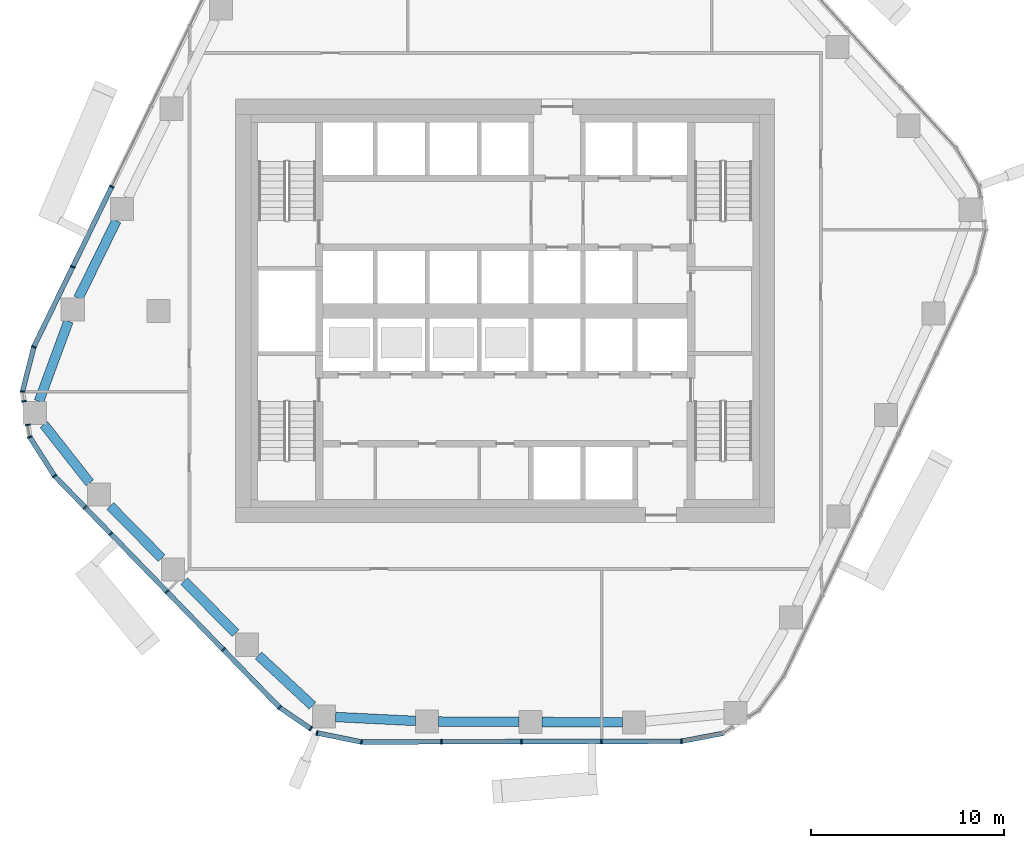
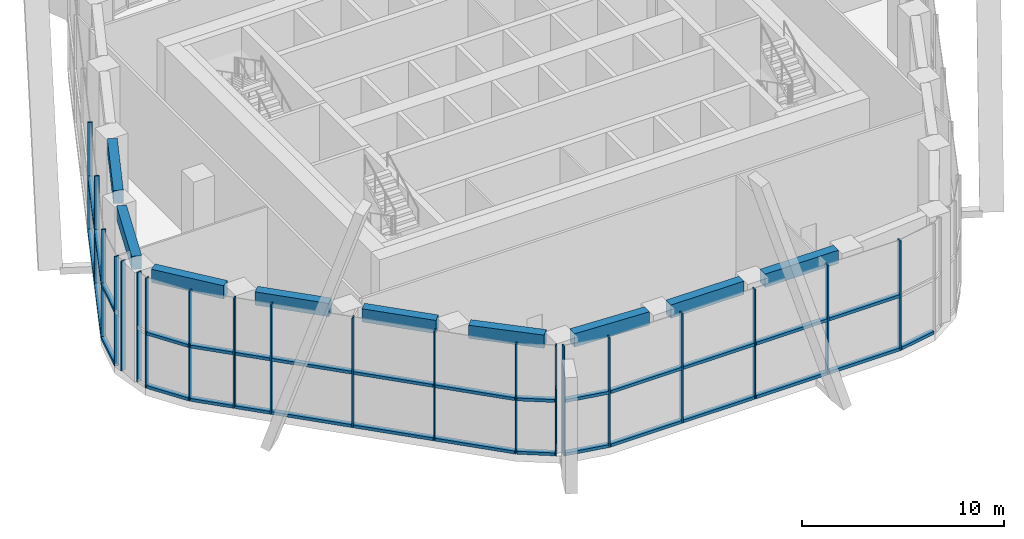
# One storey, part 2 of 20: 51 members, 9 beams, 9 elements without a shape of their own.
"""IFC4 building model written with IfcOpenShell, lengths in metres."""

from ifc_helpers import new_model, si_unit, direction, frame, origin, origin_2d, place, context, subcontext, project, spatial, rectangle, extrude, material, layer, layer_set, material_profile, profile_set, type_object, element, aggregate, save


model = new_model("IFC4")

# Units and contexts
model_context = context("Model", 3, precision=1e-05, world=origin(), true_north=direction((0.0, 1.0)))
body_context = subcontext(model_context, "Body", "Model", "MODEL_VIEW")
ifc_project = project(units=[si_unit("LENGTHUNIT", "METRE"), si_unit("AREAUNIT", "SQUARE_METRE"), si_unit("VOLUMEUNIT", "CUBIC_METRE"), si_unit("PLANEANGLEUNIT", "RADIAN"), si_unit("MASSUNIT", "GRAM", prefix="KILO")], contexts=[model_context])

# Site, building, storey
site_placement = place(None, origin())
site = spatial("IfcSite", under=ifc_project, at=site_placement, CompositionType="ELEMENT")
building_placement = place(site_placement, origin())
building = spatial("IfcBuilding", under=site, at=building_placement, Name="Dongbaek Canopy Tower", CompositionType="ELEMENT")
storey_placement = place(building_placement, frame((0.0, 0.0, 151.60009765625)))
storey = spatial("IfcBuildingStorey", under=building, at=storey_placement, Name="L33", CompositionType="ELEMENT", Elevation=151.60009765625)

# Curtain wall, members
ifc_material_1 = material(Name="Aluminium 6063-T6 pale anodised", Category="aluminium")
ifc_layer = layer(ifc_material_1, 0.25)
ifc_layer_set = layer_set([ifc_layer], Name="CW-4 sky-lobby curtain wall")
curtain_wall_type = type_object("IfcCurtainWallType", Name="CW-4 sky-lobby curtain wall", PredefinedType="NOTDEFINED", material=ifc_layer_set)
curtain_wall_1_placement = place(storey_placement, origin())
curtain_wall_1 = element("IfcCurtainWall", 1, at=curtain_wall_1_placement, inside=storey, type_object=curtain_wall_type, Name="CW-4 curtain wall F2.1", PredefinedType="NOTDEFINED")
ifc_material_2 = material(Name="Aluminium 6063-T6 pale anodised", Category="aluminium")
ifc_material_profile_1 = material_profile(ifc_material_2, rectangle(XDim=0.25, YDim=0.070068359375, at=origin_2d()), Name="CW-4 mullion 70 x 250")
ifc_profile_set_1 = profile_set([ifc_material_profile_1], Name="Aluminium 6063-T6 pale anodised")
member_type_1 = type_object("IfcMemberType", Name="CW-4 mullion 70 x 250", PredefinedType="MULLION", material=ifc_profile_set_1)
member_1_placement = place(storey_placement, frame((-20.433837890625, 6.46435546875, 0.0), z_axis=(0.0, 0.0, 1.0), x_axis=(-0.899298008809, 0.437336359513, 0.0)))
member_1 = element("IfcMember", 2, at=member_1_placement, type_object=member_type_1, Name="CW-4 mullion F2.1.4", PredefinedType="MULLION", context=body_context, shape_type="SweptSolid", body=[
    extrude(rectangle(XDim=0.25, YDim=0.070068359375, at=origin_2d()), origin(), (0.0, 0.0, 1.0), 6.619873046875),
])
member_2_placement = place(storey_placement, frame((-22.461181640625, 2.2958984375, 0.0), z_axis=(0.0, 0.0, 1.0), x_axis=(-0.899298008809, 0.437336359513, 0.0)))
member_2 = element("IfcMember", 3, at=member_2_placement, type_object=member_type_1, Name="CW-4 mullion F2.1.5", PredefinedType="MULLION", context=body_context, shape_type="SweptSolid", body=[
    extrude(rectangle(XDim=0.25, YDim=0.070068359375, at=origin_2d()), origin(), (0.0, 0.0, 1.0), 6.619873046875),
])
member_3_placement = place(storey_placement, frame((-24.48388671875, -1.863525390625, 0.0), z_axis=(0.0, 0.0, 1.0), x_axis=(-0.899298008809, 0.437336359513, 0.0)))
member_3 = element("IfcMember", 4, at=member_3_placement, type_object=member_type_1, Name="CW-4 mullion F2.1.6", PredefinedType="MULLION", context=body_context, shape_type="SweptSolid", body=[
    extrude(rectangle(XDim=0.25, YDim=0.070068359375, at=origin_2d()), origin(), (0.0, 0.0, 1.0), 6.619873046875),
])

curtain_wall_2_placement = place(storey_placement, origin())
curtain_wall_2 = element("IfcCurtainWall", 5, at=curtain_wall_2_placement, inside=storey, type_object=curtain_wall_type, Name="CW-4 curtain wall K3.1a", PredefinedType="NOTDEFINED")
member_4_placement = place(storey_placement, frame((-25.074462890625, -4.189453125, 0.0), z_axis=(0.0, 0.0, 1.0), x_axis=(-0.999001959005, 0.044666384501, 0.0)))
member_4 = element("IfcMember", 6, at=member_4_placement, type_object=member_type_1, Name="CW-4 mullion K3.1a.2", PredefinedType="MULLION", context=body_context, shape_type="SweptSolid", body=[
    extrude(rectangle(XDim=0.25, YDim=0.070068359375, at=origin_2d()), origin(), (0.0, 0.0, 1.0), 6.619873046875),
])
member_5_placement = place(storey_placement, frame((-24.994384765625, -4.6875, 0.0), z_axis=(0.0, 0.0, 1.0), x_axis=(-0.987339288222, -0.158622602213, 0.0)))
member_5 = element("IfcMember", 7, at=member_5_placement, type_object=member_type_1, Name="CW-4 mullion K3.1a.3", PredefinedType="MULLION", context=body_context, shape_type="SweptSolid", body=[
    extrude(rectangle(XDim=0.25, YDim=0.070068359375, at=origin_2d()), origin(), (0.0, 0.0, 1.0), 6.619873046875),
])

curtain_wall_3_placement = place(storey_placement, origin())
curtain_wall_3 = element("IfcCurtainWall", 8, at=curtain_wall_3_placement, inside=storey, type_object=curtain_wall_type, Name="CW-4 curtain wall K3.1b", PredefinedType="NOTDEFINED")
member_6_placement = place(storey_placement, frame((-24.796630859375, -5.918701171875, 0.0), z_axis=(0.0, 0.0, 1.0), x_axis=(-0.987339288222, -0.158622602213, 0.0)))
member_6 = element("IfcMember", 9, at=member_6_placement, type_object=member_type_1, Name="CW-4 mullion K3.1b.1", PredefinedType="MULLION", context=body_context, shape_type="SweptSolid", body=[
    extrude(rectangle(XDim=0.25, YDim=0.070068359375, at=origin_2d()), origin(), (0.0, 0.0, 1.0), 6.619873046875),
])
member_7_placement = place(storey_placement, frame((-24.695556640625, -6.548583984375, 0.0), z_axis=(0.0, 0.0, 1.0), x_axis=(-0.934739131301, -0.3553347104, 0.0)))
member_7 = element("IfcMember", 10, at=member_7_placement, type_object=member_type_1, Name="CW-4 mullion K3.1b.2", PredefinedType="MULLION", context=body_context, shape_type="SweptSolid", body=[
    extrude(rectangle(XDim=0.25, YDim=0.070068359375, at=origin_2d()), origin(), (0.0, 0.0, 1.0), 6.619873046875),
])
member_8_placement = place(storey_placement, frame((-23.406005859375, -8.57275390625, 0.0), z_axis=(0.0, 0.0, 1.0), x_axis=(-0.843382418574, -0.537313778011, 0.0)))
member_8 = element("IfcMember", 11, at=member_8_placement, type_object=member_type_1, Name="CW-4 mullion K3.1b.3", PredefinedType="MULLION", context=body_context, shape_type="SweptSolid", body=[
    extrude(rectangle(XDim=0.25, YDim=0.070068359375, at=origin_2d()), origin(), (0.0, 0.0, 1.0), 6.619873046875),
])

# Curtain wall, member
curtain_wall_4_placement = place(storey_placement, origin())
curtain_wall_4 = element("IfcCurtainWall", 12, at=curtain_wall_4_placement, inside=storey, type_object=curtain_wall_type, Name="CW-4 curtain wall F3.1a", PredefinedType="NOTDEFINED")
member_9_placement = place(storey_placement, frame((-21.817138671875, -10.207275390625, 0.0), z_axis=(0.0, 0.0, 1.0), x_axis=(-0.717057021334, -0.697014510721, 0.0)))
member_9 = element("IfcMember", 13, at=member_9_placement, type_object=member_type_1, Name="CW-4 mullion F3.1a.2", PredefinedType="MULLION", context=body_context, shape_type="SweptSolid", body=[
    extrude(rectangle(XDim=0.25, YDim=0.070068359375, at=origin_2d()), origin(), (0.0, 0.0, 1.0), 6.619873046875),
])

# Curtain wall, members
curtain_wall_5_placement = place(storey_placement, origin())
curtain_wall_5 = element("IfcCurtainWall", 14, at=curtain_wall_5_placement, inside=storey, type_object=curtain_wall_type, Name="CW-4 curtain wall F3.1b", PredefinedType="NOTDEFINED")
member_10_placement = place(storey_placement, frame((-20.488525390625, -11.573974609375, 0.0), z_axis=(0.0, 0.0, 1.0), x_axis=(-0.717057021334, -0.697014510721, 0.0)))
member_10 = element("IfcMember", 15, at=member_10_placement, type_object=member_type_1, Name="CW-4 mullion F3.1b.2", PredefinedType="MULLION", context=body_context, shape_type="SweptSolid", body=[
    extrude(rectangle(XDim=0.25, YDim=0.070068359375, at=origin_2d()), origin(), (0.0, 0.0, 1.0), 6.619873046875),
])
member_11_placement = place(storey_placement, frame((-17.564208984375, -14.58251953125, 0.0), z_axis=(0.0, 0.0, 1.0), x_axis=(-0.717057021334, -0.697014510721, 0.0)))
member_11 = element("IfcMember", 16, at=member_11_placement, type_object=member_type_1, Name="CW-4 mullion F3.1b.3", PredefinedType="MULLION", context=body_context, shape_type="SweptSolid", body=[
    extrude(rectangle(XDim=0.25, YDim=0.070068359375, at=origin_2d()), origin(), (0.0, 0.0, 1.0), 6.619873046875),
])
member_12_placement = place(storey_placement, frame((-14.6396484375, -17.591064453125, 0.0), z_axis=(0.0, 0.0, 1.0), x_axis=(-0.717057021334, -0.697014510721, 0.0)))
member_12 = element("IfcMember", 17, at=member_12_placement, type_object=member_type_1, Name="CW-4 mullion F3.1b.4", PredefinedType="MULLION", context=body_context, shape_type="SweptSolid", body=[
    extrude(rectangle(XDim=0.25, YDim=0.070068359375, at=origin_2d()), origin(), (0.0, 0.0, 1.0), 6.619873046875),
])
member_13_placement = place(storey_placement, frame((-11.72216796875, -20.592529296875, 0.0), z_axis=(0.0, 0.0, 1.0), x_axis=(-0.717057021334, -0.697014510721, 0.0)))
member_13 = element("IfcMember", 18, at=member_13_placement, type_object=member_type_1, Name="CW-4 mullion F3.1b.5", PredefinedType="MULLION", context=body_context, shape_type="SweptSolid", body=[
    extrude(rectangle(XDim=0.25, YDim=0.070068359375, at=origin_2d()), origin(), (0.0, 0.0, 1.0), 6.619873046875),
])

# Curtain wall, member
curtain_wall_6_placement = place(storey_placement, origin())
curtain_wall_6 = element("IfcCurtainWall", 19, at=curtain_wall_6_placement, inside=storey, type_object=curtain_wall_type, Name="CW-4 curtain wall K4.1a", PredefinedType="NOTDEFINED")
member_14_placement = place(storey_placement, frame((-10.095458984375, -21.703369140625, 0.0), z_axis=(0.0, 0.0, 1.0), x_axis=(-0.56393002552, -0.825822575567, 0.0)))
member_14 = element("IfcMember", 20, at=member_14_placement, type_object=member_type_1, Name="CW-4 mullion K4.1a.2", PredefinedType="MULLION", context=body_context, shape_type="SweptSolid", body=[
    extrude(rectangle(XDim=0.25, YDim=0.070068359375, at=origin_2d()), origin(), (0.0, 0.0, 1.0), 6.619873046875),
])

# Curtain wall, members
curtain_wall_7_placement = place(storey_placement, origin())
curtain_wall_7 = element("IfcCurtainWall", 21, at=curtain_wall_7_placement, inside=storey, type_object=curtain_wall_type, Name="CW-4 curtain wall K4.1b", PredefinedType="NOTDEFINED")
member_15_placement = place(storey_placement, frame((-9.774169921875, -21.922607421875, 0.0), z_axis=(0.0, 0.0, 1.0), x_axis=(-0.196972962118, -0.980408920907, 0.0)))
member_15 = element("IfcMember", 22, at=member_15_placement, type_object=member_type_1, Name="CW-4 mullion K4.1b.1", PredefinedType="MULLION", context=body_context, shape_type="SweptSolid", body=[
    extrude(rectangle(XDim=0.25, YDim=0.070068359375, at=origin_2d()), origin(), (0.0, 0.0, 1.0), 6.619873046875),
])
member_16_placement = place(storey_placement, frame((-7.461669921875, -22.38720703125, 0.0), z_axis=(0.0, 0.0, 1.0), x_axis=(-0.196972962118, -0.980408920907, 0.0)))
member_16 = element("IfcMember", 23, at=member_16_placement, type_object=member_type_1, Name="CW-4 mullion K4.1b.2", PredefinedType="MULLION", context=body_context, shape_type="SweptSolid", body=[
    extrude(rectangle(XDim=0.25, YDim=0.070068359375, at=origin_2d()), origin(), (0.0, 0.0, 1.0), 6.619873046875),
])

curtain_wall_8_placement = place(storey_placement, origin())
curtain_wall_8 = element("IfcCurtainWall", 24, at=curtain_wall_8_placement, inside=storey, type_object=curtain_wall_type, Name="CW-4 curtain wall F4.1", PredefinedType="NOTDEFINED")
member_17_placement = place(storey_placement, frame((-3.3115234375, -22.378173828125, 0.0), z_axis=(0.0, 0.0, 1.0), x_axis=(0.002164366891, -0.999997657755, 0.0)))
member_17 = element("IfcMember", 25, at=member_17_placement, type_object=member_type_1, Name="CW-4 mullion F4.1.2", PredefinedType="MULLION", context=body_context, shape_type="SweptSolid", body=[
    extrude(rectangle(XDim=0.25, YDim=0.070068359375, at=origin_2d()), origin(), (0.0, 0.0, 1.0), 6.619873046875),
])
member_18_placement = place(storey_placement, frame((0.8486328125, -22.369140625, 0.0), z_axis=(0.0, 0.0, 1.0), x_axis=(0.002164366891, -0.999997657755, 0.0)))
member_18 = element("IfcMember", 26, at=member_18_placement, type_object=member_type_1, Name="CW-4 mullion F4.1.3", PredefinedType="MULLION", context=body_context, shape_type="SweptSolid", body=[
    extrude(rectangle(XDim=0.25, YDim=0.070068359375, at=origin_2d()), origin(), (0.0, 0.0, 1.0), 6.619873046875),
])
member_19_placement = place(storey_placement, frame((5.0087890625, -22.3603515625, 0.0), z_axis=(0.0, 0.0, 1.0), x_axis=(0.002164366891, -0.999997657755, 0.0)))
member_19 = element("IfcMember", 27, at=member_19_placement, type_object=member_type_1, Name="CW-4 mullion F4.1.4", PredefinedType="MULLION", context=body_context, shape_type="SweptSolid", body=[
    extrude(rectangle(XDim=0.25, YDim=0.070068359375, at=origin_2d()), origin(), (0.0, 0.0, 1.0), 6.619873046875),
])
member_20_placement = place(storey_placement, frame((9.15966796875, -22.351318359375, 0.0), z_axis=(0.0, 0.0, 1.0), x_axis=(0.002164366891, -0.999997657755, 0.0)))
member_20 = element("IfcMember", 28, at=member_20_placement, type_object=member_type_1, Name="CW-4 mullion F4.1.5", PredefinedType="MULLION", context=body_context, shape_type="SweptSolid", body=[
    extrude(rectangle(XDim=0.25, YDim=0.070068359375, at=origin_2d()), origin(), (0.0, 0.0, 1.0), 6.619873046875),
])

# Member
ifc_material_3 = material(Name="Aluminium 6063-T6 pale anodised", Category="aluminium")
ifc_material_profile_2 = material_profile(ifc_material_3, rectangle(XDim=0.25, YDim=0.179931640625, at=origin_2d()), Name="CW-4 transom 180 x 250")
ifc_profile_set_2 = profile_set([ifc_material_profile_2], Name="Aluminium 6063-T6 pale anodised")
member_type_2 = type_object("IfcMemberType", Name="CW-4 transom 180 x 250", PredefinedType="USERDEFINED", material=ifc_profile_set_2)
member_21_placement = place(storey_placement, frame((-20.45458984375, 6.422119140625, 0.08984375), z_axis=(-0.437337649378, -0.899297381536, 0.0), x_axis=(0.899297381536, -0.437337649378, 0.0)))
member_21 = element("IfcMember", 29, at=member_21_placement, type_object=member_type_2, Name="CW-4 transom F2.1.4.1", ObjectType="TRANSOM", PredefinedType="USERDEFINED", context=body_context, shape_type="SweptSolid", body=[
    extrude(rectangle(XDim=0.25, YDim=0.179931640625, at=origin_2d()), origin(), (0.0, 0.0, 1.0), 4.541259765625),
])

member_22_placement = place(storey_placement, frame((-20.45458984375, 6.422119140625, 3.309814453125), z_axis=(-0.437337649378, -0.899297381536, 0.0), x_axis=(0.899297381536, -0.437337649378, 0.0)))
member_22 = element("IfcMember", 30, at=member_22_placement, type_object=member_type_2, Name="CW-4 transom F2.1.4.2", ObjectType="TRANSOM", PredefinedType="USERDEFINED", context=body_context, shape_type="SweptSolid", body=[
    extrude(rectangle(XDim=0.25, YDim=0.179931640625, at=origin_2d()), origin(), (0.0, 0.0, 1.0), 4.541259765625),
])

member_23_placement = place(storey_placement, frame((-22.481689453125, 2.253662109375, 0.08984375), z_axis=(-0.437337365448, -0.899297519613, 0.0), x_axis=(0.899297519613, -0.437337365448, 0.0)))
member_23 = element("IfcMember", 31, at=member_23_placement, type_object=member_type_2, Name="CW-4 transom F2.1.5.1", ObjectType="TRANSOM", PredefinedType="USERDEFINED", context=body_context, shape_type="SweptSolid", body=[
    extrude(rectangle(XDim=0.25, YDim=0.179931640625, at=origin_2d()), origin(), (0.0, 0.0, 1.0), 4.53125),
])

member_24_placement = place(storey_placement, frame((-22.481689453125, 2.253662109375, 3.309814453125), z_axis=(-0.437337365448, -0.899297519613, 0.0), x_axis=(0.899297519613, -0.437337365448, 0.0)))
member_24 = element("IfcMember", 32, at=member_24_placement, type_object=member_type_2, Name="CW-4 transom F2.1.5.2", ObjectType="TRANSOM", PredefinedType="USERDEFINED", context=body_context, shape_type="SweptSolid", body=[
    extrude(rectangle(XDim=0.25, YDim=0.179931640625, at=origin_2d()), origin(), (0.0, 0.0, 1.0), 4.53125),
])

aggregate(curtain_wall_1, [member_1, member_2, member_3, member_21, member_22, member_23, member_24])

member_25_placement = place(storey_placement, frame((-24.495361328125, -1.908935546875, 0.08984375), z_axis=(-0.246145952937, -0.969232773823, 0.0), x_axis=(0.969232773823, -0.246145952937, 0.0)))
member_25 = element("IfcMember", 33, at=member_25_placement, type_object=member_type_2, Name="CW-4 transom K3.1a.1.1", ObjectType="TRANSOM", PredefinedType="USERDEFINED", context=body_context, shape_type="SweptSolid", body=[
    extrude(rectangle(XDim=0.25, YDim=0.179931640625, at=origin_2d()), origin(), (0.0, 0.0, 1.0), 2.30615234375),
])

member_26_placement = place(storey_placement, frame((-24.495361328125, -1.908935546875, 3.309814453125), z_axis=(-0.246145952937, -0.969232773823, 0.0), x_axis=(0.969232773823, -0.246145952937, 0.0)))
member_26 = element("IfcMember", 34, at=member_26_placement, type_object=member_type_2, Name="CW-4 transom K3.1a.1.2", ObjectType="TRANSOM", PredefinedType="USERDEFINED", context=body_context, shape_type="SweptSolid", body=[
    extrude(rectangle(XDim=0.25, YDim=0.179931640625, at=origin_2d()), origin(), (0.0, 0.0, 1.0), 2.30615234375),
])

aggregate(curtain_wall_2, [member_4, member_5, member_25, member_26])

member_27_placement = place(storey_placement, frame((-24.670166015625, -6.58837890625, 0.08984375), z_axis=(0.537354992054, -0.843356159943, 0.0), x_axis=(0.843356159943, 0.537354992054, 0.0)))
member_27 = element("IfcMember", 35, at=member_27_placement, type_object=member_type_2, Name="CW-4 transom K3.1b.2.1", ObjectType="TRANSOM", PredefinedType="USERDEFINED", context=body_context, shape_type="SweptSolid", body=[
    extrude(rectangle(XDim=0.25, YDim=0.179931640625, at=origin_2d()), origin(), (0.0, 0.0, 1.0), 2.3056640625),
])

member_28_placement = place(storey_placement, frame((-24.670166015625, -6.58837890625, 3.309814453125), z_axis=(0.537354992054, -0.843356159943, 0.0), x_axis=(0.843356159943, 0.537354992054, 0.0)))
member_28 = element("IfcMember", 36, at=member_28_placement, type_object=member_type_2, Name="CW-4 transom K3.1b.2.2", ObjectType="TRANSOM", PredefinedType="USERDEFINED", context=body_context, shape_type="SweptSolid", body=[
    extrude(rectangle(XDim=0.25, YDim=0.179931640625, at=origin_2d()), origin(), (0.0, 0.0, 1.0), 2.3056640625),
])

aggregate(curtain_wall_3, [member_6, member_7, member_8, member_27, member_28])

member_29_placement = place(storey_placement, frame((-23.373291015625, -8.6064453125, 0.08984375), z_axis=(0.697038513435, -0.71703368874, 0.0), x_axis=(0.71703368874, 0.697038513435, 0.0)))
member_29 = element("IfcMember", 37, at=member_29_placement, type_object=member_type_2, Name="CW-4 transom F3.1a.1.1", ObjectType="TRANSOM", PredefinedType="USERDEFINED", context=body_context, shape_type="SweptSolid", body=[
    extrude(rectangle(XDim=0.25, YDim=0.179931640625, at=origin_2d()), origin(), (0.0, 0.0, 1.0), 2.185546875),
])

member_30_placement = place(storey_placement, frame((-23.373291015625, -8.6064453125, 3.309814453125), z_axis=(0.697038513435, -0.71703368874, 0.0), x_axis=(0.71703368874, 0.697038513435, 0.0)))
member_30 = element("IfcMember", 38, at=member_30_placement, type_object=member_type_2, Name="CW-4 transom F3.1a.1.2", ObjectType="TRANSOM", PredefinedType="USERDEFINED", context=body_context, shape_type="SweptSolid", body=[
    extrude(rectangle(XDim=0.25, YDim=0.179931640625, at=origin_2d()), origin(), (0.0, 0.0, 1.0), 2.185546875),
])

aggregate(curtain_wall_4, [member_9, member_29, member_30])

member_31_placement = place(storey_placement, frame((-21.75927734375, -10.266845703125, 0.08984375), z_axis=(0.696999862948, -0.717071259395, 0.0), x_axis=(0.717071259395, 0.696999862948, 0.0)))
member_31 = element("IfcMember", 39, at=member_31_placement, type_object=member_type_2, Name="CW-4 transom F3.1b.1.1", ObjectType="TRANSOM", PredefinedType="USERDEFINED", context=body_context, shape_type="SweptSolid", body=[
    extrude(rectangle(XDim=0.25, YDim=0.179931640625, at=origin_2d()), origin(), (0.0, 0.0, 1.0), 1.77587890625),
])

member_32_placement = place(storey_placement, frame((-21.75927734375, -10.266845703125, 3.309814453125), z_axis=(0.696999862948, -0.717071259395, 0.0), x_axis=(0.717071259395, 0.696999862948, 0.0)))
member_32 = element("IfcMember", 40, at=member_32_placement, type_object=member_type_2, Name="CW-4 transom F3.1b.1.2", ObjectType="TRANSOM", PredefinedType="USERDEFINED", context=body_context, shape_type="SweptSolid", body=[
    extrude(rectangle(XDim=0.25, YDim=0.179931640625, at=origin_2d()), origin(), (0.0, 0.0, 1.0), 1.77587890625),
])

member_33_placement = place(storey_placement, frame((-20.455810546875, -11.607666015625, 0.08984375), z_axis=(0.697006141343, -0.717065156684, 0.0), x_axis=(0.717065156684, 0.697006141343, 0.0)))
member_33 = element("IfcMember", 41, at=member_33_placement, type_object=member_type_2, Name="CW-4 transom F3.1b.2.1", ObjectType="TRANSOM", PredefinedType="USERDEFINED", context=body_context, shape_type="SweptSolid", body=[
    extrude(rectangle(XDim=0.25, YDim=0.179931640625, at=origin_2d()), origin(), (0.0, 0.0, 1.0), 4.1015625),
])

member_34_placement = place(storey_placement, frame((-20.455810546875, -11.607666015625, 3.309814453125), z_axis=(0.697006141343, -0.717065156684, 0.0), x_axis=(0.717065156684, 0.697006141343, 0.0)))
member_34 = element("IfcMember", 42, at=member_34_placement, type_object=member_type_2, Name="CW-4 transom F3.1b.2.2", ObjectType="TRANSOM", PredefinedType="USERDEFINED", context=body_context, shape_type="SweptSolid", body=[
    extrude(rectangle(XDim=0.25, YDim=0.179931640625, at=origin_2d()), origin(), (0.0, 0.0, 1.0), 4.1015625),
])

member_35_placement = place(storey_placement, frame((-17.53125, -14.6162109375, 0.08984375), z_axis=(0.697006141343, -0.717065156684, 0.0), x_axis=(0.717065156684, 0.697006141343, 0.0)))
member_35 = element("IfcMember", 43, at=member_35_placement, type_object=member_type_2, Name="CW-4 transom F3.1b.3.1", ObjectType="TRANSOM", PredefinedType="USERDEFINED", context=body_context, shape_type="SweptSolid", body=[
    extrude(rectangle(XDim=0.25, YDim=0.179931640625, at=origin_2d()), origin(), (0.0, 0.0, 1.0), 4.1015625),
])

member_36_placement = place(storey_placement, frame((-17.53125, -14.6162109375, 3.309814453125), z_axis=(0.697006141343, -0.717065156684, 0.0), x_axis=(0.717065156684, 0.697006141343, 0.0)))
member_36 = element("IfcMember", 44, at=member_36_placement, type_object=member_type_2, Name="CW-4 transom F3.1b.3.2", ObjectType="TRANSOM", PredefinedType="USERDEFINED", context=body_context, shape_type="SweptSolid", body=[
    extrude(rectangle(XDim=0.25, YDim=0.179931640625, at=origin_2d()), origin(), (0.0, 0.0, 1.0), 4.1015625),
])

member_37_placement = place(storey_placement, frame((-14.60693359375, -17.624755859375, 0.08984375), z_axis=(0.697011932297, -0.717059527679, 0.0), x_axis=(0.717059527679, 0.697011932297, 0.0)))
member_37 = element("IfcMember", 45, at=member_37_placement, type_object=member_type_2, Name="CW-4 transom F3.1b.4.1", ObjectType="TRANSOM", PredefinedType="USERDEFINED", context=body_context, shape_type="SweptSolid", body=[
    extrude(rectangle(XDim=0.25, YDim=0.179931640625, at=origin_2d()), origin(), (0.0, 0.0, 1.0), 4.091796875),
])

member_38_placement = place(storey_placement, frame((-14.60693359375, -17.624755859375, 3.309814453125), z_axis=(0.697011932297, -0.717059527679, 0.0), x_axis=(0.717059527679, 0.697011932297, 0.0)))
member_38 = element("IfcMember", 46, at=member_38_placement, type_object=member_type_2, Name="CW-4 transom F3.1b.4.2", ObjectType="TRANSOM", PredefinedType="USERDEFINED", context=body_context, shape_type="SweptSolid", body=[
    extrude(rectangle(XDim=0.25, YDim=0.179931640625, at=origin_2d()), origin(), (0.0, 0.0, 1.0), 4.091796875),
])

aggregate(curtain_wall_5, [member_10, member_11, member_12, member_13, member_31, member_32, member_33, member_34, member_35, member_36, member_37, member_38])

member_39_placement = place(storey_placement, frame((-11.683349609375, -20.618896484375, 0.08984375), z_axis=(0.825811330496, -0.56394649252, 0.0), x_axis=(0.56394649252, 0.825811330496, 0.0)))
member_39 = element("IfcMember", 47, at=member_39_placement, type_object=member_type_2, Name="CW-4 transom K4.1a.1.1", ObjectType="TRANSOM", PredefinedType="USERDEFINED", context=body_context, shape_type="SweptSolid", body=[
    extrude(rectangle(XDim=0.25, YDim=0.179931640625, at=origin_2d()), origin(), (0.0, 0.0, 1.0), 1.875732421875),
])

member_40_placement = place(storey_placement, frame((-11.683349609375, -20.618896484375, 3.309814453125), z_axis=(0.825811330496, -0.56394649252, 0.0), x_axis=(0.56394649252, 0.825811330496, 0.0)))
member_40 = element("IfcMember", 48, at=member_40_placement, type_object=member_type_2, Name="CW-4 transom K4.1a.1.2", ObjectType="TRANSOM", PredefinedType="USERDEFINED", context=body_context, shape_type="SweptSolid", body=[
    extrude(rectangle(XDim=0.25, YDim=0.179931640625, at=origin_2d()), origin(), (0.0, 0.0, 1.0), 1.875732421875),
])

aggregate(curtain_wall_6, [member_14, member_39, member_40])

member_41_placement = place(storey_placement, frame((-9.728271484375, -21.931884765625, 0.08984375), z_axis=(0.980414483421, -0.19694527336, 0.0), x_axis=(0.19694527336, 0.980414483421, 0.0)))
member_41 = element("IfcMember", 49, at=member_41_placement, type_object=member_type_2, Name="CW-4 transom K4.1b.1.1", ObjectType="TRANSOM", PredefinedType="USERDEFINED", context=body_context, shape_type="SweptSolid", body=[
    extrude(rectangle(XDim=0.25, YDim=0.179931640625, at=origin_2d()), origin(), (0.0, 0.0, 1.0), 2.264892578125),
])

member_42_placement = place(storey_placement, frame((-9.728271484375, -21.931884765625, 3.309814453125), z_axis=(0.980414483421, -0.19694527336, 0.0), x_axis=(0.19694527336, 0.980414483421, 0.0)))
member_42 = element("IfcMember", 50, at=member_42_placement, type_object=member_type_2, Name="CW-4 transom K4.1b.1.2", ObjectType="TRANSOM", PredefinedType="USERDEFINED", context=body_context, shape_type="SweptSolid", body=[
    extrude(rectangle(XDim=0.25, YDim=0.179931640625, at=origin_2d()), origin(), (0.0, 0.0, 1.0), 2.264892578125),
])

aggregate(curtain_wall_7, [member_15, member_16, member_41, member_42])

member_43_placement = place(storey_placement, frame((-7.414794921875, -22.38720703125, 0.08984375), z_axis=(0.999997652395, 0.00216684215, 0.0), x_axis=(-0.00216684215, 0.999997652395, 0.0)))
member_43 = element("IfcMember", 51, at=member_43_placement, type_object=member_type_2, Name="CW-4 transom F4.1.1.1", ObjectType="TRANSOM", PredefinedType="USERDEFINED", context=body_context, shape_type="SweptSolid", body=[
    extrude(rectangle(XDim=0.25, YDim=0.179931640625, at=origin_2d()), origin(), (0.0, 0.0, 1.0), 4.05615234375),
])

member_44_placement = place(storey_placement, frame((-7.414794921875, -22.38720703125, 3.309814453125), z_axis=(0.999997652395, 0.00216684215, 0.0), x_axis=(-0.00216684215, 0.999997652395, 0.0)))
member_44 = element("IfcMember", 52, at=member_44_placement, type_object=member_type_2, Name="CW-4 transom F4.1.1.2", ObjectType="TRANSOM", PredefinedType="USERDEFINED", context=body_context, shape_type="SweptSolid", body=[
    extrude(rectangle(XDim=0.25, YDim=0.179931640625, at=origin_2d()), origin(), (0.0, 0.0, 1.0), 4.05615234375),
])

member_45_placement = place(storey_placement, frame((-3.2646484375, -22.378173828125, 0.08984375), z_axis=(0.999997663939, 0.00216150801, 0.0), x_axis=(-0.00216150801, 0.999997663939, 0.0)))
member_45 = element("IfcMember", 53, at=member_45_placement, type_object=member_type_2, Name="CW-4 transom F4.1.2.1", ObjectType="TRANSOM", PredefinedType="USERDEFINED", context=body_context, shape_type="SweptSolid", body=[
    extrude(rectangle(XDim=0.25, YDim=0.179931640625, at=origin_2d()), origin(), (0.0, 0.0, 1.0), 4.066162109375),
])

member_46_placement = place(storey_placement, frame((-3.2646484375, -22.378173828125, 3.309814453125), z_axis=(0.999997663939, 0.00216150801, 0.0), x_axis=(-0.00216150801, 0.999997663939, 0.0)))
member_46 = element("IfcMember", 54, at=member_46_placement, type_object=member_type_2, Name="CW-4 transom F4.1.2.2", ObjectType="TRANSOM", PredefinedType="USERDEFINED", context=body_context, shape_type="SweptSolid", body=[
    extrude(rectangle(XDim=0.25, YDim=0.179931640625, at=origin_2d()), origin(), (0.0, 0.0, 1.0), 4.066162109375),
])

member_47_placement = place(storey_placement, frame((0.8955078125, -22.369140625, 0.08984375), z_axis=(0.999997664219, 0.002161378237, 0.0), x_axis=(-0.002161378237, 0.999997664219, 0.0)))
member_47 = element("IfcMember", 55, at=member_47_placement, type_object=member_type_2, Name="CW-4 transom F4.1.3.1", ObjectType="TRANSOM", PredefinedType="USERDEFINED", context=body_context, shape_type="SweptSolid", body=[
    extrude(rectangle(XDim=0.25, YDim=0.179931640625, at=origin_2d()), origin(), (0.0, 0.0, 1.0), 4.06640625),
])

member_48_placement = place(storey_placement, frame((0.8955078125, -22.369140625, 3.309814453125), z_axis=(0.999997664219, 0.002161378237, 0.0), x_axis=(-0.002161378237, 0.999997664219, 0.0)))
member_48 = element("IfcMember", 56, at=member_48_placement, type_object=member_type_2, Name="CW-4 transom F4.1.3.2", ObjectType="TRANSOM", PredefinedType="USERDEFINED", context=body_context, shape_type="SweptSolid", body=[
    extrude(rectangle(XDim=0.25, YDim=0.179931640625, at=origin_2d()), origin(), (0.0, 0.0, 1.0), 4.06640625),
])

member_49_placement = place(storey_placement, frame((5.055908203125, -22.360107421875, 0.08984375), z_axis=(0.99999765296, 0.002166581338, 0.0), x_axis=(-0.002166581338, 0.99999765296, 0.0)))
member_49 = element("IfcMember", 57, at=member_49_placement, type_object=member_type_2, Name="CW-4 transom F4.1.4.1", ObjectType="TRANSOM", PredefinedType="USERDEFINED", context=body_context, shape_type="SweptSolid", body=[
    extrude(rectangle(XDim=0.25, YDim=0.179931640625, at=origin_2d()), origin(), (0.0, 0.0, 1.0), 4.056640625),
])

member_50_placement = place(storey_placement, frame((5.055908203125, -22.360107421875, 3.309814453125), z_axis=(0.99999765296, 0.002166581338, 0.0), x_axis=(-0.002166581338, 0.99999765296, 0.0)))
member_50 = element("IfcMember", 58, at=member_50_placement, type_object=member_type_2, Name="CW-4 transom F4.1.4.2", ObjectType="TRANSOM", PredefinedType="USERDEFINED", context=body_context, shape_type="SweptSolid", body=[
    extrude(rectangle(XDim=0.25, YDim=0.179931640625, at=origin_2d()), origin(), (0.0, 0.0, 1.0), 4.056640625),
])

aggregate(curtain_wall_8, [member_17, member_18, member_19, member_20, member_43, member_44, member_45, member_46, member_47, member_48, member_49, member_50])

# Curtain wall, member
curtain_wall_9_placement = place(storey_placement, origin())
curtain_wall_9 = element("IfcCurtainWall", 59, at=curtain_wall_9_placement, inside=storey, type_object=curtain_wall_type, Name="CW-4 curtain wall K5.1a", PredefinedType="NOTDEFINED")
member_51_placement = place(storey_placement, frame((9.205810546875, -22.34228515625, 0.08984375), z_axis=(0.982038514738, 0.188680564899, 0.0), x_axis=(-0.188680564899, 0.982038514738, 0.0)))
member_51 = element("IfcMember", 60, at=member_51_placement, type_object=member_type_2, Name="CW-4 transom K5.1a.1.1", ObjectType="TRANSOM", PredefinedType="USERDEFINED", context=body_context, shape_type="SweptSolid", body=[
    extrude(rectangle(XDim=0.25, YDim=0.179931640625, at=origin_2d()), origin(), (0.0, 0.0, 1.0), 2.116943359375),
])
aggregate(curtain_wall_9, [member_51])

# Beams
ifc_material_4 = material(Name="Concrete C70", Category="concrete")
ifc_material_profile_3 = material_profile(ifc_material_4, rectangle(XDim=0.5, YDim=0.800048828125, at=origin_2d()), Name="RC EDGE BEAM 500x800 C70")
ifc_profile_set_3 = profile_set([ifc_material_profile_3], Name="Concrete C70")
beam_type = type_object("IfcBeamType", Name="RC EDGE BEAM 500x800 C70", PredefinedType="BEAM", material=ifc_profile_set_3)
beam_1_placement = place(storey_placement, frame((6.097900390625, -21.369384765625, 6.219970703125), z_axis=(-0.999989872655, 0.004500509685, 0.0), x_axis=(-0.004500509685, -0.999989872655, 0.0)))
element("IfcBeam", 61, at=beam_1_placement, inside=storey, type_object=beam_type, Name="EDGEBEAM:L33:01", PredefinedType="BEAM", context=body_context, shape_type="SweptSolid", body=[
    extrude(rectangle(XDim=0.5, YDim=0.800048828125, at=origin_2d()), origin(), (0.0, 0.0, 1.0), 4.177001953125),
])
beam_2_placement = place(storey_placement, frame((0.720947265625, -21.34521484375, 6.219970703125), z_axis=(-0.999990129376, 0.004443101423, 0.0), x_axis=(-0.004443101423, -0.999990129376, 0.0)))
element("IfcBeam", 62, at=beam_2_placement, inside=storey, type_object=beam_type, Name="EDGEBEAM:L33:02", PredefinedType="BEAM", context=body_context, shape_type="SweptSolid", body=[
    extrude(rectangle(XDim=0.5, YDim=0.800048828125, at=origin_2d()), origin(), (0.0, 0.0, 1.0), 4.176025390625),
])
beam_3_placement = place(storey_placement, frame((-4.655029296875, -21.29443359375, 6.219970703125), z_axis=(-0.998797460552, 0.04902685789, 0.0), x_axis=(-0.04902685789, -0.998797460552, 0.0)))
element("IfcBeam", 63, at=beam_3_placement, inside=storey, type_object=beam_type, Name="EDGEBEAM:L33:03", PredefinedType="BEAM", context=body_context, shape_type="SweptSolid", body=[
    extrude(rectangle(XDim=0.5, YDim=0.800048828125, at=origin_2d()), origin(), (0.0, 0.0, 1.0), 4.157958984375),
])
beam_4_placement = place(storey_placement, frame((-10.008056640625, -20.5029296875, 6.219970703125), z_axis=(-0.732259249265, 0.681025984722, 0.0), x_axis=(-0.681025984722, -0.732259249265, 0.0)))
element("IfcBeam", 64, at=beam_4_placement, inside=storey, type_object=beam_type, Name="EDGEBEAM:L33:04", PredefinedType="BEAM", context=body_context, shape_type="SweptSolid", body=[
    extrude(rectangle(XDim=0.5, YDim=0.800048828125, at=origin_2d()), origin(), (0.0, 0.0, 1.0), 3.826416015625),
])
beam_5_placement = place(storey_placement, frame((-14.0009765625, -16.739013671875, 6.219970703125), z_axis=(-0.701688575516, 0.71248378437, 0.0), x_axis=(-0.71248378437, -0.701688575516, 0.0)))
element("IfcBeam", 65, at=beam_5_placement, inside=storey, type_object=beam_type, Name="EDGEBEAM:L33:05", PredefinedType="BEAM", context=body_context, shape_type="SweptSolid", body=[
    extrude(rectangle(XDim=0.5, YDim=0.800048828125, at=origin_2d()), origin(), (0.0, 0.0, 1.0), 3.79931640625),
])
beam_6_placement = place(storey_placement, frame((-17.848876953125, -12.83203125, 6.219970703125), z_axis=(-0.701721192392, 0.712451660218, 0.0), x_axis=(-0.712451660218, -0.701721192392, 0.0)))
element("IfcBeam", 66, at=beam_6_placement, inside=storey, type_object=beam_type, Name="EDGEBEAM:L33:06", PredefinedType="BEAM", context=body_context, shape_type="SweptSolid", body=[
    extrude(rectangle(XDim=0.5, YDim=0.800048828125, at=origin_2d()), origin(), (0.0, 0.0, 1.0), 3.799560546875),
])
beam_7_placement = place(storey_placement, frame((-21.578125, -8.925048828125, 6.219970703125), z_axis=(-0.618344214718, 0.785907394115, 0.0), x_axis=(-0.785907394115, -0.618344214718, 0.0)))
element("IfcBeam", 67, at=beam_7_placement, inside=storey, type_object=beam_type, Name="EDGEBEAM:L33:07", PredefinedType="BEAM", context=body_context, shape_type="SweptSolid", body=[
    extrude(rectangle(XDim=0.5, YDim=0.800048828125, at=origin_2d()), origin(), (0.0, 0.0, 1.0), 3.856689453125),
])
beam_8_placement = place(storey_placement, frame((-24.214111328125, -4.694091796875, 6.219970703125), z_axis=(0.34534810305, 0.938474660137, 0.0), x_axis=(-0.938474660137, 0.34534810305, 0.0)))
element("IfcBeam", 68, at=beam_8_placement, inside=storey, type_object=beam_type, Name="EDGEBEAM:L33:08", PredefinedType="BEAM", context=body_context, shape_type="SweptSolid", body=[
    extrude(rectangle(XDim=0.5, YDim=0.800048828125, at=origin_2d()), origin(), (0.0, 0.0, 1.0), 4.433837890625),
])
beam_9_placement = place(storey_placement, frame((-22.1669921875, 0.6669921875, 6.219970703125), z_axis=(0.441142658474, 0.897436992147, 0.0), x_axis=(-0.897436992147, 0.441142658474, 0.0)))
element("IfcBeam", 69, at=beam_9_placement, inside=storey, type_object=beam_type, Name="EDGEBEAM:L33:09", PredefinedType="BEAM", context=body_context, shape_type="SweptSolid", body=[
    extrude(rectangle(XDim=0.5, YDim=0.800048828125, at=origin_2d()), origin(), (0.0, 0.0, 1.0), 4.4794921875),
])

save(model, "model.ifc")
